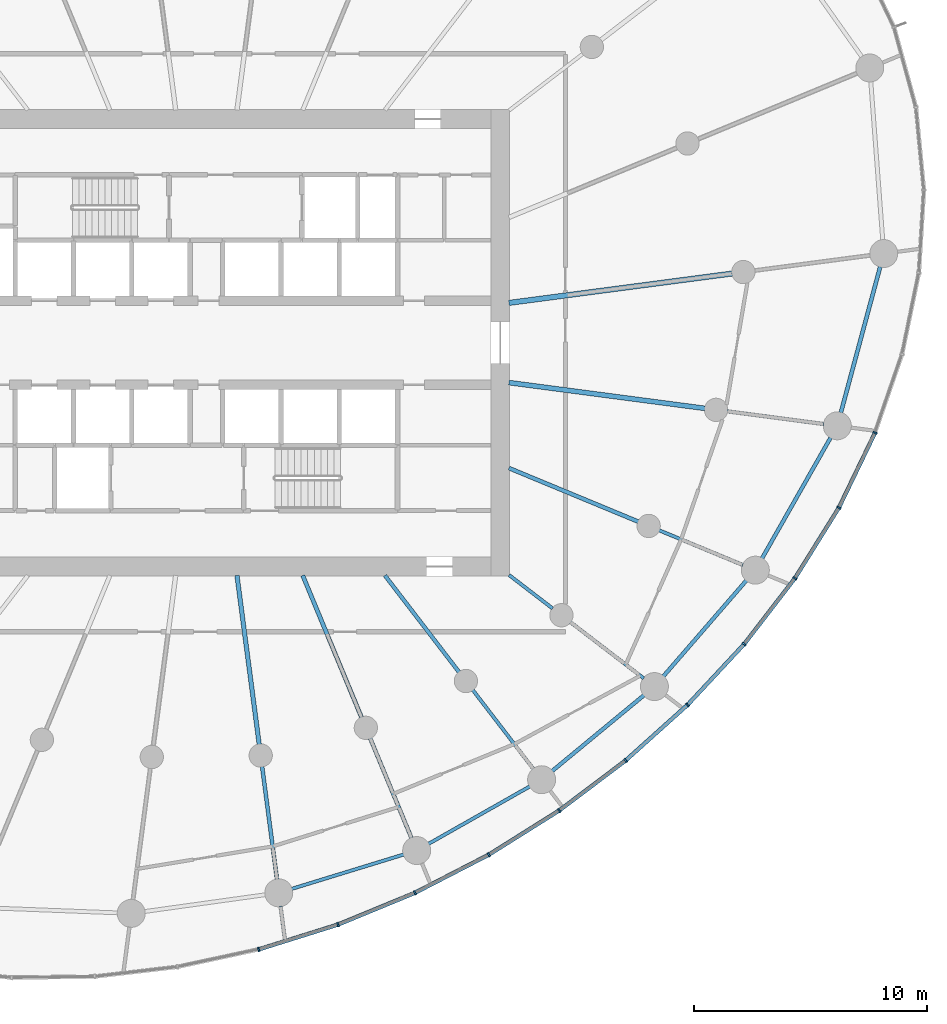
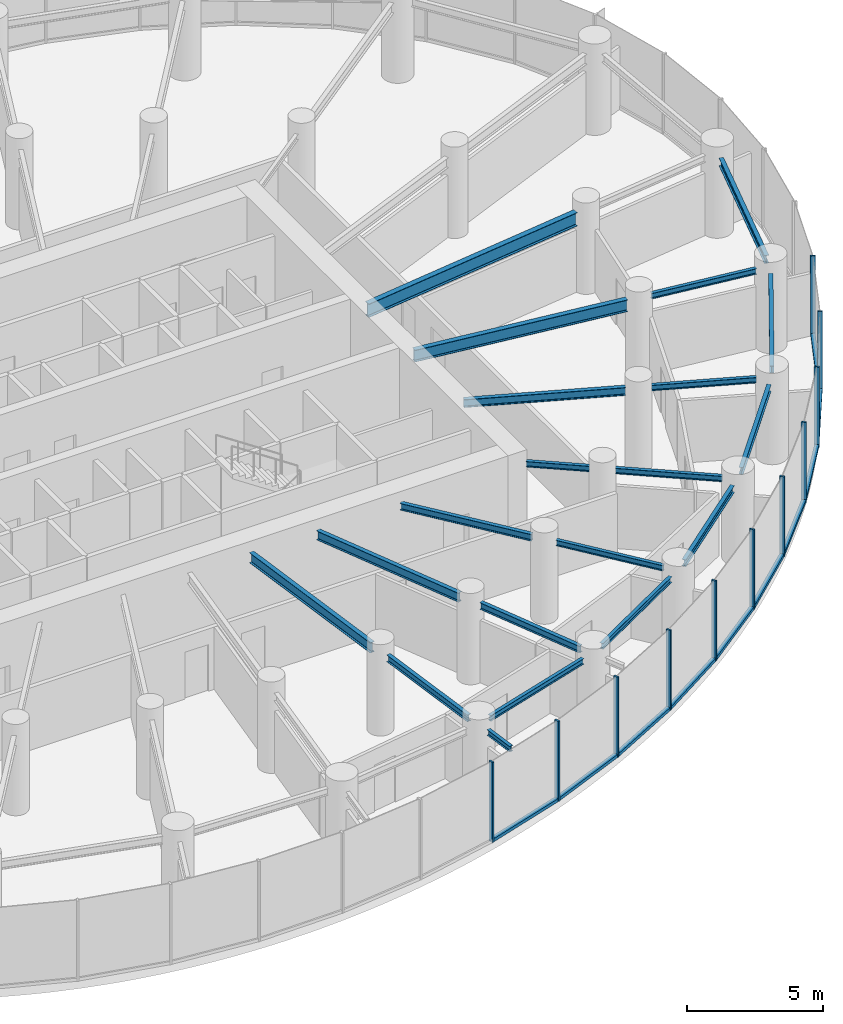
# One storey, part 4 of 17: 21 members, 20 beams, 3 elements without a shape of their own.
"""IFC4 building model written with IfcOpenShell, lengths in metres."""

from ifc_helpers import new_model, si_unit, direction, frame, origin, origin_2d, place, context, subcontext, project, spatial, rectangle, i_section, extrude, source, transform, mapped, material, layer, layer_set, material_profile, profile_set, type_object, element, aggregate, save


model = new_model("IFC4")

# Units and contexts
model_context = context("Model", 3, precision=1e-05, world=origin(), true_north=direction((0.0, 1.0)))
body_context = subcontext(model_context, "Body", "Model", "MODEL_VIEW")
ifc_project = project(units=[si_unit("LENGTHUNIT", "METRE"), si_unit("AREAUNIT", "SQUARE_METRE"), si_unit("VOLUMEUNIT", "CUBIC_METRE"), si_unit("PLANEANGLEUNIT", "RADIAN"), si_unit("MASSUNIT", "GRAM", prefix="KILO")], contexts=[model_context])

# Site, building, storey
site_placement = place(None, origin())
site = spatial("IfcSite", under=ifc_project, at=site_placement, CompositionType="ELEMENT")
building_placement = place(site_placement, origin())
building = spatial("IfcBuilding", under=site, at=building_placement, Name="Spindrift Exchange Tower", CompositionType="ELEMENT")
storey_placement = place(building_placement, frame((0.0, 0.0, 124.89990234375)))
storey = spatial("IfcBuildingStorey", under=building, at=storey_placement, Name="L29", CompositionType="ELEMENT", Elevation=124.89990234375)

# Beams
ifc_material_1 = material(Name="Steel Grade 300", Category="steel")
ifc_material_profile_1 = material_profile(ifc_material_1, i_section(OverallWidth=0.22802734375, OverallDepth=0.60693359375, WebThickness=0.01123046875, FlangeThickness=0.017333984375, FilletRadius=0.013916015625, at=origin_2d()), Name="610UB113")
ifc_profile_set_1 = profile_set([ifc_material_profile_1], Name="Steel Grade 300")
beam_type_1 = type_object("IfcBeamType", Name="Floor Beam 610UB113 Steel Grade 300", PredefinedType="BEAM", material=ifc_profile_set_1)
shared_shape_1 = source(origin(), body_context, "Body", "SweptSolid", [
    extrude(i_section(OverallWidth=0.22802734375, OverallDepth=0.60693359375, WebThickness=0.01123046875, FlangeThickness=0.017333984375, FilletRadius=0.013916015625, at=origin_2d()), origin(), (0.0, 0.0, 1.0), 9.660400390625),
])
beam_1_placement = place(storey_placement, frame((64.980224609375, 49.708984375, 3.296630859375), z_axis=(0.99144767089, 0.130504850054, 0.0), x_axis=(-0.130504850054, 0.99144767089, 0.0)))
element("IfcBeam", 1, at=beam_1_placement, inside=storey, type_object=beam_type_1, Name="L29 radial beam R01A", PredefinedType="BEAM", context=body_context, shape_type="MappedRepresentation", body=[
    mapped(shared_shape_1, transform((0.0, 0.0, 0.0), scale=1.0)),
])
ifc_material_profile_2 = material_profile(ifc_material_1, i_section(OverallWidth=0.18994140625, OverallDepth=0.45703125, WebThickness=0.009033203125, FlangeThickness=0.014404296875, FilletRadius=0.013916015625, at=origin_2d()), Name="460UB74.6")
ifc_profile_set_2 = profile_set([ifc_material_profile_2], Name="Steel Grade 300")
beam_type_2 = type_object("IfcBeamType", Name="Floor Beam 460UB74.6 Steel Grade 300", PredefinedType="BEAM", material=ifc_profile_set_2)
shared_shape_2 = source(origin(), body_context, "Body", "SweptSolid", [
    extrude(i_section(OverallWidth=0.18994140625, OverallDepth=0.45703125, WebThickness=0.009033203125, FlangeThickness=0.014404296875, FilletRadius=0.013916015625, at=origin_2d()), origin(), (0.0, 0.0, 1.0), 7.3095703125),
])
beam_2_placement = place(storey_placement, frame((53.31396484375, 38.019775390625, 3.37158203125), z_axis=(0.130527087244, -0.991444743541, 0.0), x_axis=(0.991444743541, 0.130527087244, 0.0)))
element("IfcBeam", 2, at=beam_2_placement, inside=storey, type_object=beam_type_2, Name="L29 radial beam R19A", PredefinedType="BEAM", context=body_context, shape_type="MappedRepresentation", body=[
    mapped(shared_shape_2, transform((0.0, 0.0, 0.0), scale=1.0)),
])
ifc_material_profile_3 = material_profile(ifc_material_1, i_section(OverallWidth=0.177978515625, OverallDepth=0.406005859375, WebThickness=0.0078125, FlangeThickness=0.0126953125, FilletRadius=0.013916015625, at=origin_2d()), Name="410UB59.7")
ifc_profile_set_3 = profile_set([ifc_material_profile_3], Name="Steel Grade 300")
beam_type_3 = type_object("IfcBeamType", Name="Floor Beam 410UB59.7 Steel Grade 300", PredefinedType="BEAM", material=ifc_profile_set_3)
shared_shape_3 = source(origin(), body_context, "Body", "SweptSolid", [
    extrude(i_section(OverallWidth=0.177978515625, OverallDepth=0.406005859375, WebThickness=0.0078125, FlangeThickness=0.0126953125, FilletRadius=0.013916015625, at=origin_2d()), origin(), (0.0, 0.0, 1.0), 6.594482421875),
])
beam_3_placement = place(storey_placement, frame((56.134521484375, 38.0185546875, 3.397216796875), z_axis=(0.382692929746, -0.92387559851, 0.0), x_axis=(0.92387559851, 0.382692929746, 0.0)))
element("IfcBeam", 3, at=beam_3_placement, inside=storey, type_object=beam_type_3, Name="L29 radial beam R20A", PredefinedType="BEAM", context=body_context, shape_type="MappedRepresentation", body=[
    mapped(shared_shape_3, transform((0.0, 0.0, 0.0), scale=1.0)),
])
ifc_material_profile_4 = material_profile(ifc_material_1, i_section(OverallWidth=0.1650390625, OverallDepth=0.303955078125, WebThickness=0.006103515625, FlangeThickness=0.01025390625, FilletRadius=0.011474609375, at=origin_2d()), Name="310UB40.4")
ifc_profile_set_4 = profile_set([ifc_material_profile_4], Name="Steel Grade 300")
beam_type_4 = type_object("IfcBeamType", Name="Floor Beam 310UB40.4 Steel Grade 300", PredefinedType="BEAM", material=ifc_profile_set_4)
shared_shape_4 = source(origin(), body_context, "Body", "SweptSolid", [
    extrude(i_section(OverallWidth=0.1650390625, OverallDepth=0.303955078125, WebThickness=0.006103515625, FlangeThickness=0.01025390625, FilletRadius=0.011474609375, at=origin_2d()), origin(), (0.0, 0.0, 1.0), 5.224609375),
])
beam_4_placement = place(storey_placement, frame((59.6611328125, 38.015869140625, 3.447998046875), z_axis=(0.608741499316, -0.793368632485, 0.0), x_axis=(0.793368632485, 0.608741499316, 0.0)))
element("IfcBeam", 4, at=beam_4_placement, inside=storey, type_object=beam_type_4, Name="L29 radial beam R21A", PredefinedType="BEAM", context=body_context, shape_type="MappedRepresentation", body=[
    mapped(shared_shape_4, transform((0.0, 0.0, 0.0), scale=1.0)),
])
ifc_material_profile_5 = material_profile(ifc_material_1, i_section(OverallWidth=0.14599609375, OverallDepth=0.251953125, WebThickness=0.006103515625, FlangeThickness=0.008544921875, FilletRadius=0.011962890625, at=origin_2d()), Name="250UB31.4")
ifc_profile_set_5 = profile_set([ifc_material_profile_5], Name="Steel Grade 300")
beam_type_5 = type_object("IfcBeamType", Name="Floor Beam 250UB31.4 Steel Grade 300", PredefinedType="BEAM", material=ifc_profile_set_5)
shared_shape_5 = source(origin(), body_context, "Body", "SweptSolid", [
    extrude(i_section(OverallWidth=0.14599609375, OverallDepth=0.251953125, WebThickness=0.006103515625, FlangeThickness=0.008544921875, FilletRadius=0.011962890625, at=origin_2d()), origin(), (0.0, 0.0, 1.0), 2.353759765625),
])
beam_5_placement = place(storey_placement, frame((64.984130859375, 38.036865234375, 3.47412109375), z_axis=(0.793367573265, -0.608742879787, 0.0), x_axis=(0.608742879787, 0.793367573265, 0.0)))
element("IfcBeam", 5, at=beam_5_placement, inside=storey, type_object=beam_type_5, Name="L29 radial beam R22A", PredefinedType="BEAM", context=body_context, shape_type="MappedRepresentation", body=[
    mapped(shared_shape_5, transform((0.0, 0.0, 0.0), scale=1.0)),
])
ifc_material_profile_6 = material_profile(ifc_material_1, i_section(OverallWidth=0.172119140625, OverallDepth=0.35888671875, WebThickness=0.008056640625, FlangeThickness=0.012939453125, FilletRadius=0.013916015625, at=origin_2d()), Name="360UB56.7")
ifc_profile_set_6 = profile_set([ifc_material_profile_6], Name="Steel Grade 300")
beam_type_6 = type_object("IfcBeamType", Name="Floor Beam 360UB56.7 Steel Grade 300", PredefinedType="BEAM", material=ifc_profile_set_6)
shared_shape_6 = source(origin(), body_context, "Body", "SweptSolid", [
    extrude(i_section(OverallWidth=0.172119140625, OverallDepth=0.35888671875, WebThickness=0.008056640625, FlangeThickness=0.012939453125, FilletRadius=0.013916015625, at=origin_2d()), origin(), (0.0, 0.0, 1.0), 6.004638671875),
])
beam_6_placement = place(storey_placement, frame((64.9814453125, 42.622802734375, 3.420654296875), z_axis=(0.923882044911, -0.38267736684, 0.0), x_axis=(0.38267736684, 0.923882044911, 0.0)))
element("IfcBeam", 6, at=beam_6_placement, inside=storey, type_object=beam_type_6, Name="L29 radial beam R23A", PredefinedType="BEAM", context=body_context, shape_type="MappedRepresentation", body=[
    mapped(shared_shape_6, transform((0.0, 0.0, 0.0), scale=1.0)),
])
ifc_material_profile_7 = material_profile(ifc_material_1, i_section(OverallWidth=0.208984375, OverallDepth=0.532958984375, WebThickness=0.01025390625, FlangeThickness=0.015625, FilletRadius=0.013916015625, at=origin_2d()), Name="530UB92.4")
ifc_profile_set_7 = profile_set([ifc_material_profile_7], Name="Steel Grade 300")
beam_type_7 = type_object("IfcBeamType", Name="Floor Beam 530UB92.4 Steel Grade 300", PredefinedType="BEAM", material=ifc_profile_set_7)
shared_shape_7 = source(origin(), body_context, "Body", "SweptSolid", [
    extrude(i_section(OverallWidth=0.208984375, OverallDepth=0.532958984375, WebThickness=0.01025390625, FlangeThickness=0.015625, FilletRadius=0.013916015625, at=origin_2d()), origin(), (0.0, 0.0, 1.0), 8.4794921875),
])
beam_7_placement = place(storey_placement, frame((64.980224609375, 46.291015625, 3.33349609375), z_axis=(0.991446551951, -0.13051335037, 0.0), x_axis=(0.13051335037, 0.991446551951, 0.0)))
element("IfcBeam", 7, at=beam_7_placement, inside=storey, type_object=beam_type_7, Name="L29 radial beam R24A", PredefinedType="BEAM", context=body_context, shape_type="MappedRepresentation", body=[
    mapped(shared_shape_7, transform((0.0, 0.0, 0.0), scale=1.0)),
])
shared_shape_8 = source(origin(), body_context, "Body", "SweptSolid", [
    extrude(i_section(OverallWidth=0.1650390625, OverallDepth=0.303955078125, WebThickness=0.006103515625, FlangeThickness=0.01025390625, FilletRadius=0.011474609375, at=origin_2d()), origin(), (0.0, 0.0, 1.0), 4.883056640625),
])
beam_8_placement = place(storey_placement, frame((54.393310546875, 29.82080078125, 3.447998046875), z_axis=(0.130542457964, -0.991442719812, 0.0), x_axis=(0.991442719812, 0.130542457964, 0.0)))
element("IfcBeam", 8, at=beam_8_placement, inside=storey, type_object=beam_type_4, Name="L29 radial beam R19B", PredefinedType="BEAM", context=body_context, shape_type="MappedRepresentation", body=[
    mapped(shared_shape_8, transform((0.0, 0.0, 0.0), scale=1.0)),
])
shared_shape_9 = source(origin(), body_context, "Body", "SweptSolid", [
    extrude(i_section(OverallWidth=0.1650390625, OverallDepth=0.303955078125, WebThickness=0.006103515625, FlangeThickness=0.01025390625, FilletRadius=0.011474609375, at=origin_2d()), origin(), (0.0, 0.0, 1.0), 4.63671875),
])
beam_9_placement = place(storey_placement, frame((59.025390625, 31.0390625, 3.447998046875), z_axis=(0.382692818086, -0.923875644763, 0.0), x_axis=(0.923875644763, 0.382692818086, 0.0)))
element("IfcBeam", 9, at=beam_9_placement, inside=storey, type_object=beam_type_4, Name="L29 radial beam R20B", PredefinedType="BEAM", context=body_context, shape_type="MappedRepresentation", body=[
    mapped(shared_shape_9, transform((0.0, 0.0, 0.0), scale=1.0)),
])
shared_shape_10 = source(origin(), body_context, "Body", "SweptSolid", [
    extrude(i_section(OverallWidth=0.14599609375, OverallDepth=0.251953125, WebThickness=0.006103515625, FlangeThickness=0.008544921875, FilletRadius=0.011962890625, at=origin_2d()), origin(), (0.0, 0.0, 1.0), 4.27587890625),
])
beam_10_placement = place(storey_placement, frame((63.426025390625, 33.109375, 3.47412109375), z_axis=(0.608725184746, -0.793381150177, 0.0), x_axis=(0.793381150177, 0.608725184746, 0.0)))
element("IfcBeam", 10, at=beam_10_placement, inside=storey, type_object=beam_type_5, Name="L29 radial beam R21B", PredefinedType="BEAM", context=body_context, shape_type="MappedRepresentation", body=[
    mapped(shared_shape_10, transform((0.0, 0.0, 0.0), scale=1.0)),
])
shared_shape_11 = source(origin(), body_context, "Body", "SweptSolid", [
    extrude(i_section(OverallWidth=0.14599609375, OverallDepth=0.251953125, WebThickness=0.006103515625, FlangeThickness=0.008544921875, FilletRadius=0.011962890625, at=origin_2d()), origin(), (0.0, 0.0, 1.0), 3.966064453125),
])
beam_11_placement = place(storey_placement, frame((67.61328125, 36.01953125, 3.47412109375), z_axis=(0.79336256318, -0.608749409318, 0.0), x_axis=(0.608749409318, 0.79336256318, 0.0)))
element("IfcBeam", 11, at=beam_11_placement, inside=storey, type_object=beam_type_5, Name="L29 radial beam R22B", PredefinedType="BEAM", context=body_context, shape_type="MappedRepresentation", body=[
    mapped(shared_shape_11, transform((0.0, 0.0, 0.0), scale=1.0)),
])
shared_shape_12 = source(origin(), body_context, "Body", "SweptSolid", [
    extrude(i_section(OverallWidth=0.14599609375, OverallDepth=0.251953125, WebThickness=0.006103515625, FlangeThickness=0.008544921875, FilletRadius=0.011962890625, at=origin_2d()), origin(), (0.0, 0.0, 1.0), 3.892333984375),
])
beam_12_placement = place(storey_placement, frame((71.416015625, 39.95751953125, 3.47412109375), z_axis=(0.923878458273, -0.382686025794, 0.0), x_axis=(0.382686025794, 0.923878458273, 0.0)))
element("IfcBeam", 12, at=beam_12_placement, inside=storey, type_object=beam_type_5, Name="L29 radial beam R23B", PredefinedType="BEAM", context=body_context, shape_type="MappedRepresentation", body=[
    mapped(shared_shape_12, transform((0.0, 0.0, 0.0), scale=1.0)),
])
shared_shape_13 = source(origin(), body_context, "Body", "SweptSolid", [
    extrude(i_section(OverallWidth=0.14599609375, OverallDepth=0.251953125, WebThickness=0.006103515625, FlangeThickness=0.008544921875, FilletRadius=0.011962890625, at=origin_2d()), origin(), (0.0, 0.0, 1.0), 4.186279296875),
])
beam_13_placement = place(storey_placement, frame((74.339111328125, 45.05908203125, 3.47412109375), z_axis=(0.991445559167, -0.130520891848, 0.0), x_axis=(0.130520891848, 0.991445559167, 0.0)))
element("IfcBeam", 13, at=beam_13_placement, inside=storey, type_object=beam_type_5, Name="L29 radial beam R24B", PredefinedType="BEAM", context=body_context, shape_type="MappedRepresentation", body=[
    mapped(shared_shape_13, transform((0.0, 0.0, 0.0), scale=1.0)),
])
ifc_material_profile_8 = material_profile(ifc_material_1, i_section(OverallWidth=0.14599609375, OverallDepth=0.251953125, WebThickness=0.006103515625, FlangeThickness=0.008544921875, FilletRadius=0.011962890625, at=origin_2d()), Name="250UB31.4")
ifc_profile_set_8 = profile_set([ifc_material_profile_8], Name="Steel Grade 300")
beam_type_8 = type_object("IfcBeamType", Name="Edge Beam 250UB31.4 Steel Grade 300", PredefinedType="SPANDREL", material=ifc_profile_set_8)
shared_shape_14 = source(origin(), body_context, "Body", "SweptSolid", [
    extrude(i_section(OverallWidth=0.14599609375, OverallDepth=0.251953125, WebThickness=0.006103515625, FlangeThickness=0.008544921875, FilletRadius=0.011962890625, at=origin_2d()), origin(), (0.0, 0.0, 1.0), 5.027587890625),
])
beam_14_placement = place(storey_placement, frame((55.660888671875, 24.57470703125, 3.47412109375), z_axis=(0.956018084082, 0.293307727325, 0.0), x_axis=(-0.293307727325, 0.956018084082, 0.0)))
element("IfcBeam", 14, at=beam_14_placement, inside=storey, type_object=beam_type_8, Name="L29 edge beam E19", PredefinedType="SPANDREL", context=body_context, shape_type="MappedRepresentation", body=[
    mapped(shared_shape_14, transform((0.0, 0.0, 0.0), scale=1.0)),
])
shared_shape_15 = source(origin(), body_context, "Body", "SweptSolid", [
    extrude(i_section(OverallWidth=0.14599609375, OverallDepth=0.251953125, WebThickness=0.006103515625, FlangeThickness=0.008544921875, FilletRadius=0.011962890625, at=origin_2d()), origin(), (0.0, 0.0, 1.0), 5.0009765625),
])
beam_15_placement = place(storey_placement, frame((61.5263671875, 26.505615234375, 3.47412109375), z_axis=(0.870045916697, 0.492970691663, 0.0), x_axis=(-0.492970691663, 0.870045916697, 0.0)))
element("IfcBeam", 15, at=beam_15_placement, inside=storey, type_object=beam_type_8, Name="L29 edge beam E20", PredefinedType="SPANDREL", context=body_context, shape_type="MappedRepresentation", body=[
    mapped(shared_shape_15, transform((0.0, 0.0, 0.0), scale=1.0)),
])
ifc_material_profile_9 = material_profile(ifc_material_1, i_section(OverallWidth=0.1650390625, OverallDepth=0.303955078125, WebThickness=0.006103515625, FlangeThickness=0.01025390625, FilletRadius=0.011474609375, at=origin_2d()), Name="310UB40.4")
ifc_profile_set_9 = profile_set([ifc_material_profile_9], Name="Steel Grade 300")
beam_type_9 = type_object("IfcBeamType", Name="Edge Beam 310UB40.4 Steel Grade 300", PredefinedType="SPANDREL", material=ifc_profile_set_9)
shared_shape_16 = source(origin(), body_context, "Body", "SweptSolid", [
    extrude(i_section(OverallWidth=0.1650390625, OverallDepth=0.303955078125, WebThickness=0.006103515625, FlangeThickness=0.01025390625, FilletRadius=0.011474609375, at=origin_2d()), origin(), (0.0, 0.0, 1.0), 5.114501953125),
])
beam_16_placement = place(storey_placement, frame((66.8291015625, 29.626220703125, 3.447998046875), z_axis=(0.771073837992, 0.63674573918, 0.0), x_axis=(-0.63674573918, 0.771073837992, 0.0)))
element("IfcBeam", 16, at=beam_16_placement, inside=storey, type_object=beam_type_9, Name="L29 edge beam E21", PredefinedType="SPANDREL", context=body_context, shape_type="MappedRepresentation", body=[
    mapped(shared_shape_16, transform((0.0, 0.0, 0.0), scale=1.0)),
])
shared_shape_17 = source(origin(), body_context, "Body", "SweptSolid", [
    extrude(i_section(OverallWidth=0.1650390625, OverallDepth=0.303955078125, WebThickness=0.006103515625, FlangeThickness=0.01025390625, FilletRadius=0.011474609375, at=origin_2d()), origin(), (0.0, 0.0, 1.0), 5.448486328125),
])
beam_17_placement = place(storey_placement, frame((71.599609375, 33.6904296875, 3.447998046875), z_axis=(0.654922008827, 0.755696475018, 0.0), x_axis=(-0.755696475018, 0.654922008827, 0.0)))
element("IfcBeam", 17, at=beam_17_placement, inside=storey, type_object=beam_type_9, Name="L29 edge beam E22", PredefinedType="SPANDREL", context=body_context, shape_type="MappedRepresentation", body=[
    mapped(shared_shape_17, transform((0.0, 0.0, 0.0), scale=1.0)),
])
shared_shape_18 = source(origin(), body_context, "Body", "SweptSolid", [
    extrude(i_section(OverallWidth=0.1650390625, OverallDepth=0.303955078125, WebThickness=0.006103515625, FlangeThickness=0.01025390625, FilletRadius=0.011474609375, at=origin_2d()), origin(), (0.0, 0.0, 1.0), 5.9599609375),
])
beam_18_placement = place(storey_placement, frame((75.834228515625, 38.75048828125, 3.447998046875), z_axis=(0.493940434745, 0.869495742901, 0.0), x_axis=(-0.869495742901, 0.493940434745, 0.0)))
element("IfcBeam", 18, at=beam_18_placement, inside=storey, type_object=beam_type_9, Name="L29 edge beam E23", PredefinedType="SPANDREL", context=body_context, shape_type="MappedRepresentation", body=[
    mapped(shared_shape_18, transform((0.0, 0.0, 0.0), scale=1.0)),
])
ifc_material_profile_10 = material_profile(ifc_material_1, i_section(OverallWidth=0.172119140625, OverallDepth=0.35888671875, WebThickness=0.008056640625, FlangeThickness=0.012939453125, FilletRadius=0.013916015625, at=origin_2d()), Name="360UB56.7")
ifc_profile_set_10 = profile_set([ifc_material_profile_10], Name="Steel Grade 300")
beam_type_10 = type_object("IfcBeamType", Name="Edge Beam 360UB56.7 Steel Grade 300", PredefinedType="SPANDREL", material=ifc_profile_set_10)
shared_shape_19 = source(origin(), body_context, "Body", "SweptSolid", [
    extrude(i_section(OverallWidth=0.172119140625, OverallDepth=0.35888671875, WebThickness=0.008056640625, FlangeThickness=0.012939453125, FilletRadius=0.013916015625, at=origin_2d()), origin(), (0.0, 0.0, 1.0), 6.4921875),
])
beam_19_placement = place(storey_placement, frame((79.215576171875, 44.996826171875, 3.420654296875), z_axis=(0.260262058381, 0.965538016324, 0.0), x_axis=(-0.965538016324, 0.260262058381, 0.0)))
element("IfcBeam", 19, at=beam_19_placement, inside=storey, type_object=beam_type_10, Name="L29 edge beam E24", PredefinedType="SPANDREL", context=body_context, shape_type="MappedRepresentation", body=[
    mapped(shared_shape_19, transform((0.0, 0.0, 0.0), scale=1.0)),
])
ifc_material_profile_11 = material_profile(ifc_material_1, i_section(OverallWidth=0.14599609375, OverallDepth=0.251953125, WebThickness=0.006103515625, FlangeThickness=0.008544921875, FilletRadius=0.011962890625, at=origin_2d()), Name="250UB31.4")
ifc_profile_set_11 = profile_set([ifc_material_profile_11], Name="Steel Grade 300")
beam_type_11 = type_object("IfcBeamType", Name="Cantilever Beam 250UB31.4 Steel Grade 300", PredefinedType="BEAM", material=ifc_profile_set_11)
shared_shape_20 = source(origin(), body_context, "Body", "SweptSolid", [
    extrude(i_section(OverallWidth=0.14599609375, OverallDepth=0.251953125, WebThickness=0.006103515625, FlangeThickness=0.008544921875, FilletRadius=0.011962890625, at=origin_2d()), origin(), (0.0, 0.0, 1.0), 1.37744140625),
])
beam_20_placement = place(storey_placement, frame((55.18212890625, 23.82958984375, 3.47412109375), z_axis=(0.130445343131, -0.991455502005, 0.0), x_axis=(0.991455502005, 0.130445343131, 0.0)))
element("IfcBeam", 20, at=beam_20_placement, inside=storey, type_object=beam_type_11, Name="L29 cantilever beam R19T", PredefinedType="BEAM", context=body_context, shape_type="MappedRepresentation", body=[
    mapped(shared_shape_20, transform((0.0, 0.0, 0.0), scale=1.0)),
])

# Curtain wall, member
ifc_material_2 = material(Name="Fritted laminated glass with bronze frame", Category="glass")
ifc_layer = layer(ifc_material_2, 0.18994140625)
ifc_layer_set = layer_set([ifc_layer], Name="ZONE 2 BRONZE FRITTED WALL")
curtain_wall_type = type_object("IfcCurtainWallType", Name="ZONE 2 BRONZE FRITTED WALL", PredefinedType="NOTDEFINED", material=ifc_layer_set)
curtain_wall_1_placement = place(storey_placement, origin())
curtain_wall_1 = element("IfcCurtainWall", 21, at=curtain_wall_1_placement, inside=storey, type_object=curtain_wall_type, Name="L29 Zone 2 Bronze Fritted Wall run 8", PredefinedType="NOTDEFINED")
ifc_material_3 = material(Name="Bronze anodised aluminium", Category="aluminium")
ifc_material_profile_12 = material_profile(ifc_material_3, rectangle(XDim=0.169921875, YDim=0.139892578125, at=origin_2d()), Name="ZONE 2 BRONZE FRITTED WALL TRANSOM 170X140")
ifc_profile_set_12 = profile_set([ifc_material_profile_12], Name="Bronze anodised aluminium")
member_type_1 = type_object("IfcMemberType", Name="ZONE 2 BRONZE FRITTED WALL TRANSOM 170X140", PredefinedType="USERDEFINED", material=ifc_profile_set_12)
shared_shape_21 = source(origin(), body_context, "Body", "SweptSolid", [
    extrude(rectangle(XDim=0.169921875, YDim=0.139892578125, at=origin_2d()), origin(), (0.0, 0.0, 1.0), 3.4912109375),
])
member_1_placement = place(storey_placement, frame((75.093505859375, 35.103271484375, 0.070068359375), z_axis=(0.610410073153, 0.792085565197, 0.0), x_axis=(-0.792085565197, 0.610410073153, 0.0)))
member_1 = element("IfcMember", 22, at=member_1_placement, type_object=member_type_1, Name="L29 transom CW-2.43", ObjectType="TRANSOM", PredefinedType="USERDEFINED", context=body_context, shape_type="MappedRepresentation", body=[
    mapped(shared_shape_21, transform((0.0, 0.0, 0.0), scale=1.0)),
])

# Curtain wall, members
curtain_wall_2_placement = place(storey_placement, origin())
curtain_wall_2 = element("IfcCurtainWall", 23, at=curtain_wall_2_placement, inside=storey, type_object=curtain_wall_type, Name="L29 Zone 2 Bronze Fritted Wall run 7", PredefinedType="NOTDEFINED")
shared_shape_22 = source(origin(), body_context, "Body", "SweptSolid", [
    extrude(rectangle(XDim=0.169921875, YDim=0.139892578125, at=origin_2d()), origin(), (0.0, 0.0, 1.0), 3.49169921875),
])
member_2_placement = place(storey_placement, frame((57.68359375, 23.0576171875, 0.070068359375), z_axis=(0.924465094965, 0.381266689067, 0.0), x_axis=(-0.381266689067, 0.924465094965, 0.0)))
member_2 = element("IfcMember", 24, at=member_2_placement, type_object=member_type_1, Name="L29 transom CW-2.37", ObjectType="TRANSOM", PredefinedType="USERDEFINED", context=body_context, shape_type="MappedRepresentation", body=[
    mapped(shared_shape_22, transform((0.0, 0.0, 0.0), scale=1.0)),
])
member_3_placement = place(storey_placement, frame((60.9794921875, 24.42041015625, 0.070068359375), z_axis=(0.888634445642, 0.458616203397, 0.0), x_axis=(-0.458616203397, 0.888634445642, 0.0)))
member_3 = element("IfcMember", 25, at=member_3_placement, type_object=member_type_1, Name="L29 transom CW-2.38", ObjectType="TRANSOM", PredefinedType="USERDEFINED", context=body_context, shape_type="MappedRepresentation", body=[
    mapped(shared_shape_22, transform((0.0, 0.0, 0.0), scale=1.0)),
])
member_4_placement = place(storey_placement, frame((64.1474609375, 26.058837890625, 0.070068359375), z_axis=(0.846865090287, 0.531807783746, 0.0), x_axis=(-0.531807783746, 0.846865090287, 0.0)))
member_4 = element("IfcMember", 26, at=member_4_placement, type_object=member_type_1, Name="L29 transom CW-2.39", ObjectType="TRANSOM", PredefinedType="USERDEFINED", context=body_context, shape_type="MappedRepresentation", body=[
    mapped(shared_shape_22, transform((0.0, 0.0, 0.0), scale=1.0)),
])
member_5_placement = place(storey_placement, frame((67.166259765625, 27.958251953125, 0.070068359375), z_axis=(0.798790123943, 0.601609788726, 0.0), x_axis=(-0.601609788726, 0.798790123943, 0.0)))
member_5 = element("IfcMember", 27, at=member_5_placement, type_object=member_type_1, Name="L29 transom CW-2.40", ObjectType="TRANSOM", PredefinedType="USERDEFINED", context=body_context, shape_type="MappedRepresentation", body=[
    mapped(shared_shape_22, transform((0.0, 0.0, 0.0), scale=1.0)),
])
member_6_placement = place(storey_placement, frame((72.664794921875, 32.491455078125, 0.070068359375), z_axis=(0.681667757436, 0.731661853914, 0.0), x_axis=(-0.731661853914, 0.681667757436, 0.0)))
member_6 = element("IfcMember", 28, at=member_6_placement, type_object=member_type_1, Name="L29 transom CW-2.42", ObjectType="TRANSOM", PredefinedType="USERDEFINED", context=body_context, shape_type="MappedRepresentation", body=[
    mapped(shared_shape_22, transform((0.0, 0.0, 0.0), scale=1.0)),
])

# Curtain wall, member
curtain_wall_3_placement = place(storey_placement, origin())
curtain_wall_3 = element("IfcCurtainWall", 29, at=curtain_wall_3_placement, inside=storey, type_object=curtain_wall_type, Name="L29 Zone 2 Bronze Fritted Wall run 6", PredefinedType="NOTDEFINED")
shared_shape_23 = source(origin(), body_context, "Body", "SweptSolid", [
    extrude(rectangle(XDim=0.169921875, YDim=0.139892578125, at=origin_2d()), origin(), (0.0, 0.0, 1.0), 3.491455078125),
])
member_7_placement = place(storey_placement, frame((54.281494140625, 21.988037109375, 0.070068359375), z_axis=(0.954254505522, 0.298995549616, 0.0), x_axis=(-0.298995549616, 0.954254505522, 0.0)))
member_7 = element("IfcMember", 30, at=member_7_placement, type_object=member_type_1, Name="L29 transom CW-2.36", ObjectType="TRANSOM", PredefinedType="USERDEFINED", context=body_context, shape_type="MappedRepresentation", body=[
    mapped(shared_shape_23, transform((0.0, 0.0, 0.0), scale=1.0)),
])

# Member
member_8_placement = place(storey_placement, frame((70.01318359375, 30.1064453125, 0.070068359375), z_axis=(0.744121064702, 0.668044789716, 0.0), x_axis=(-0.668044789716, 0.744121064702, 0.0)))
member_8 = element("IfcMember", 31, at=member_8_placement, type_object=member_type_1, Name="L29 transom CW-2.41", ObjectType="TRANSOM", PredefinedType="USERDEFINED", context=body_context, shape_type="MappedRepresentation", body=[
    mapped(shared_shape_23, transform((0.0, 0.0, 0.0), scale=1.0)),
])

shared_shape_24 = source(origin(), body_context, "Body", "SweptSolid", [
    extrude(rectangle(XDim=0.169921875, YDim=0.139892578125, at=origin_2d()), origin(), (0.0, 0.0, 1.0), 3.490966796875),
])
member_9_placement = place(storey_placement, frame((77.267333984375, 37.93017578125, 0.070068359375), z_axis=(0.52876001869, 0.848771372417, 0.0), x_axis=(-0.848771372417, 0.52876001869, 0.0)))
member_9 = element("IfcMember", 32, at=member_9_placement, type_object=member_type_1, Name="L29 transom CW-2.44", ObjectType="TRANSOM", PredefinedType="USERDEFINED", context=body_context, shape_type="MappedRepresentation", body=[
    mapped(shared_shape_24, transform((0.0, 0.0, 0.0), scale=1.0)),
])

member_10_placement = place(storey_placement, frame((79.1494140625, 40.958984375, 0.070068359375), z_axis=(0.434862497747, 0.90049686732, 0.0), x_axis=(-0.90049686732, 0.434862497747, 0.0)))
member_10 = element("IfcMember", 33, at=member_10_placement, type_object=member_type_1, Name="L29 transom CW-2.45", ObjectType="TRANSOM", PredefinedType="USERDEFINED", context=body_context, shape_type="MappedRepresentation", body=[
    mapped(shared_shape_24, transform((0.0, 0.0, 0.0), scale=1.0)),
])

ifc_material_profile_13 = material_profile(ifc_material_3, rectangle(XDim=0.074951171875, YDim=0.18994140625, at=origin_2d()), Name="ZONE 2 BRONZE FRITTED WALL MULLION 75X190")
ifc_profile_set_13 = profile_set([ifc_material_profile_13], Name="Bronze anodised aluminium")
member_type_2 = type_object("IfcMemberType", Name="ZONE 2 BRONZE FRITTED WALL MULLION 75X190", PredefinedType="MULLION", material=ifc_profile_set_13)
shared_shape_25 = source(origin(), body_context, "Body", "SweptSolid", [
    extrude(rectangle(XDim=0.074951171875, YDim=0.18994140625, at=origin_2d()), origin(), (0.0, 0.0, 1.0), 3.60009765625),
])
member_11_placement = place(storey_placement, frame((54.24560546875, 21.976806640625, 0.0), z_axis=(0.0, 0.0, 1.0), x_axis=(0.966871710866, 0.255262795423, 0.0)))
member_11 = element("IfcMember", 34, at=member_11_placement, type_object=member_type_2, Name="L29 mullion CW-2.36", PredefinedType="MULLION", context=body_context, shape_type="MappedRepresentation", body=[
    mapped(shared_shape_25, transform((0.0, 0.0, 0.0), scale=1.0)),
])

aggregate(curtain_wall_3, [member_11, member_7])

member_12_placement = place(storey_placement, frame((57.64892578125, 23.043212890625, 0.0), z_axis=(0.0, 0.0, 1.0), x_axis=(0.940251532786, 0.340480623668, 0.0)))
member_12 = element("IfcMember", 35, at=member_12_placement, type_object=member_type_2, Name="L29 mullion CW-2.37", PredefinedType="MULLION", context=body_context, shape_type="MappedRepresentation", body=[
    mapped(shared_shape_25, transform((0.0, 0.0, 0.0), scale=1.0)),
])

member_13_placement = place(storey_placement, frame((60.9462890625, 24.4033203125, 0.0), z_axis=(0.0, 0.0, 1.0), x_axis=(0.907373009376, 0.420326327817, 0.0)))
member_13 = element("IfcMember", 36, at=member_13_placement, type_object=member_type_2, Name="L29 mullion CW-2.38", PredefinedType="MULLION", context=body_context, shape_type="MappedRepresentation", body=[
    mapped(shared_shape_25, transform((0.0, 0.0, 0.0), scale=1.0)),
])

member_14_placement = place(storey_placement, frame((64.11572265625, 26.038818359375, 0.0), z_axis=(0.0, 0.0, 1.0), x_axis=(0.86851775112, 0.495658063578, 0.0)))
member_14 = element("IfcMember", 37, at=member_14_placement, type_object=member_type_2, Name="L29 mullion CW-2.39", PredefinedType="MULLION", context=body_context, shape_type="MappedRepresentation", body=[
    mapped(shared_shape_25, transform((0.0, 0.0, 0.0), scale=1.0)),
])

member_15_placement = place(storey_placement, frame((67.13623046875, 27.935791015625, 0.0), z_axis=(0.0, 0.0, 1.0), x_axis=(0.823584106008, 0.567194164578, 0.0)))
member_15 = element("IfcMember", 38, at=member_15_placement, type_object=member_type_2, Name="L29 mullion CW-2.40", PredefinedType="MULLION", context=body_context, shape_type="MappedRepresentation", body=[
    mapped(shared_shape_25, transform((0.0, 0.0, 0.0), scale=1.0)),
])

member_16_placement = place(storey_placement, frame((69.9853515625, 30.081298828125, 0.0), z_axis=(0.0, 0.0, 1.0), x_axis=(0.772189041142, 0.635392858585, 0.0)))
member_16 = element("IfcMember", 39, at=member_16_placement, type_object=member_type_2, Name="L29 mullion CW-2.41", PredefinedType="MULLION", context=body_context, shape_type="MappedRepresentation", body=[
    mapped(shared_shape_25, transform((0.0, 0.0, 0.0), scale=1.0)),
])

member_17_placement = place(storey_placement, frame((72.639404296875, 32.464111328125, 0.0), z_axis=(0.0, 0.0, 1.0), x_axis=(0.713594956687, 0.700558518463, 0.0)))
member_17 = element("IfcMember", 40, at=member_17_placement, type_object=member_type_2, Name="L29 mullion CW-2.42", PredefinedType="MULLION", context=body_context, shape_type="MappedRepresentation", body=[
    mapped(shared_shape_25, transform((0.0, 0.0, 0.0), scale=1.0)),
])

aggregate(curtain_wall_2, [member_12, member_2, member_13, member_3, member_14, member_4, member_15, member_5, member_16, member_8, member_17, member_6])

member_18_placement = place(storey_placement, frame((75.070556640625, 35.073486328125, 0.0), z_axis=(0.0, 0.0, 1.0), x_axis=(0.646739387473, 0.76271106239, 0.0)))
member_18 = element("IfcMember", 41, at=member_18_placement, type_object=member_type_2, Name="L29 mullion CW-2.43", PredefinedType="MULLION", context=body_context, shape_type="MappedRepresentation", body=[
    mapped(shared_shape_25, transform((0.0, 0.0, 0.0), scale=1.0)),
])

member_19_placement = place(storey_placement, frame((77.247314453125, 37.8984375, 0.0), z_axis=(0.0, 0.0, 1.0), x_axis=(0.570292209569, 0.821441900383, 0.0)))
member_19 = element("IfcMember", 42, at=member_19_placement, type_object=member_type_2, Name="L29 mullion CW-2.44", PredefinedType="MULLION", context=body_context, shape_type="MappedRepresentation", body=[
    mapped(shared_shape_25, transform((0.0, 0.0, 0.0), scale=1.0)),
])

member_20_placement = place(storey_placement, frame((79.133056640625, 40.92529296875, 0.0), z_axis=(0.0, 0.0, 1.0), x_axis=(0.482504992472, 0.875893219656, 0.0)))
member_20 = element("IfcMember", 43, at=member_20_placement, type_object=member_type_2, Name="L29 mullion CW-2.45", PredefinedType="MULLION", context=body_context, shape_type="MappedRepresentation", body=[
    mapped(shared_shape_25, transform((0.0, 0.0, 0.0), scale=1.0)),
])

member_21_placement = place(storey_placement, frame((80.68359375, 44.13623046875, 0.0), z_axis=(0.0, 0.0, 1.0), x_axis=(0.381404494547, 0.924408249389, 0.0)))
member_21 = element("IfcMember", 44, at=member_21_placement, type_object=member_type_2, Name="L29 mullion CW-2.46", PredefinedType="MULLION", context=body_context, shape_type="MappedRepresentation", body=[
    mapped(shared_shape_25, transform((0.0, 0.0, 0.0), scale=1.0)),
])

aggregate(curtain_wall_1, [member_18, member_1, member_19, member_9, member_20, member_10, member_21])

save(model, "model.ifc")
